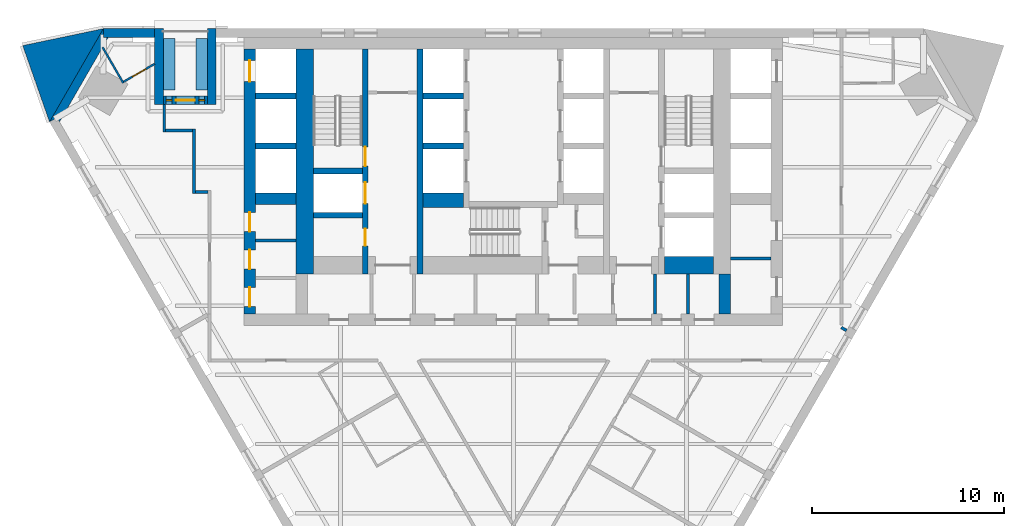
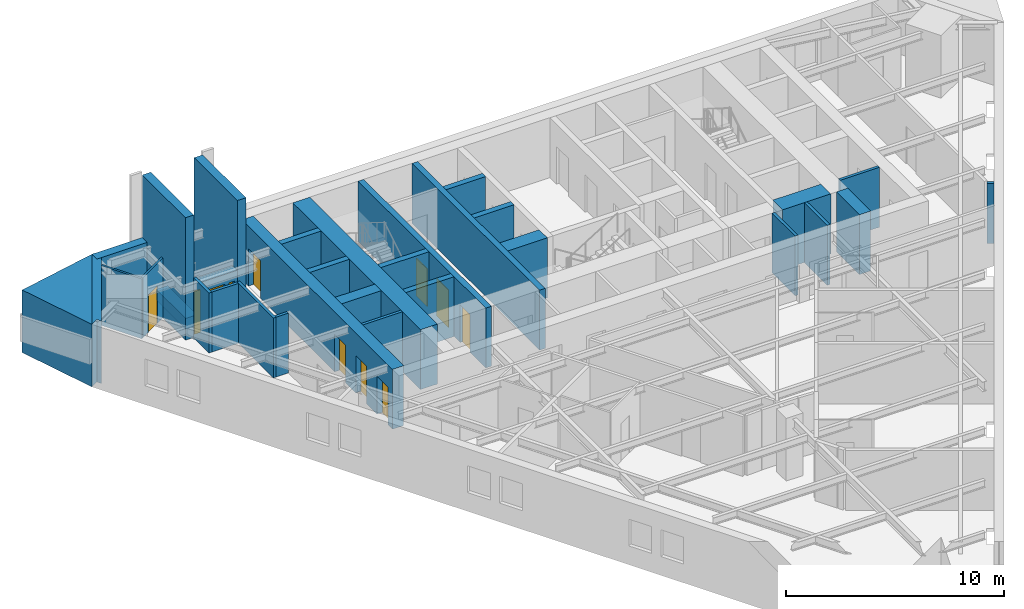
# One storey, part 5 of 9: 33 walls, 9 doors, 2 windows, 11 openings.
"""IFC4 building model written with IfcOpenShell, lengths in metres."""

from ifc_helpers import new_model, si_unit, direction, frame, frame_2d, origin, place, context, subcontext, project, spatial, polyline, rectangle, outline, extrude, material, layer, layer_set, type_object, element, fill, save


model = new_model("IFC4")

# Units and contexts
model_context = context("Model", 3, precision=1e-05, world=origin(), true_north=direction((0.0, 1.0)))
body_context = subcontext(model_context, "Body", "Model", "MODEL_VIEW")
ifc_project = project(units=[si_unit("LENGTHUNIT", "METRE"), si_unit("AREAUNIT", "SQUARE_METRE"), si_unit("VOLUMEUNIT", "CUBIC_METRE"), si_unit("PLANEANGLEUNIT", "RADIAN"), si_unit("MASSUNIT", "GRAM", prefix="KILO")], contexts=[model_context])

# Site, building, storey
site_placement = place(None, origin())
site = spatial("IfcSite", under=ifc_project, at=site_placement, CompositionType="ELEMENT")
building_placement = place(site_placement, origin())
building = spatial("IfcBuilding", under=site, at=building_placement, Name="Aloe Facet Convention Tower", CompositionType="ELEMENT")
storey_placement = place(building_placement, frame((0.0, 0.0, 92.300048828125)))
storey = spatial("IfcBuildingStorey", under=building, at=storey_placement, Name="L22", CompositionType="ELEMENT", Elevation=92.300048828125)

# Walls
ifc_material_1 = material(Name="Concrete blockwork partition", Category="masonry")
ifc_layer_1 = layer(ifc_material_1, 0.14990234375)
ifc_layer_set_1 = layer_set([ifc_layer_1], Name="CR-W-PART150")
wall_type_1 = type_object("IfcWallType", Name="CR-W-PART150", PredefinedType="PARTITIONING", material=ifc_layer_set_1)
wall_1_placement = place(storey_placement, frame((66.60009765625, 123.97509765625, 0.0), z_axis=(0.0, 0.0, 1.0), x_axis=(1.0, 0.0, 0.0)))
element("IfcWall", 1, at=wall_1_placement, inside=storey, type_object=wall_type_1, Name="Core partition L22-007", PredefinedType="PARTITIONING", context=body_context, shape_type="SweptSolid", body=[
    extrude(rectangle(XDim=2.099853515625, YDim=0.14990234375, at=frame_2d((1.0498046875, 0.0))), origin(), (0.0, 0.0, 1.0), 3.349853515625),
])
for number, where, z_axis, x_axis, name in (
    (2, (87.375, 122.25, 0.0), (0.0, 0.0, 1.0), (0.0, -1.0, 0.0), "Core partition L22-041"),
    (3, (89.074951171875, 122.25, 0.0), (0.0, 0.0, 1.0), (0.0, -1.0, 0.0), "Core partition L22-046"),
):
    element("IfcWall", number, at=place(storey_placement, frame(where, z_axis=z_axis, x_axis=x_axis)), inside=storey, type_object=wall_type_1, Name=name, PredefinedType="PARTITIONING", context=body_context, shape_type="SweptSolid", body=[
        extrude(rectangle(XDim=2.10009765625, YDim=0.14990234375, at=frame_2d((1.050048828125, 0.0))), origin(), (0.0, 0.0, 1.0), 3.349853515625),
    ])
wall_2_placement = place(storey_placement, frame((91.300048828125, 123.048583984375, 0.0), z_axis=(0.0, 0.0, 1.0), x_axis=(1.0, 0.0, 0.0)))
element("IfcWall", 4, at=wall_2_placement, inside=storey, type_object=wall_type_1, Name="Core partition L22-052", PredefinedType="PARTITIONING", context=body_context, shape_type="SweptSolid", body=[
    extrude(rectangle(XDim=2.099853515625, YDim=0.14990234375, at=frame_2d((1.0498046875, 0.0))), origin(), (0.0, 0.0, 1.0), 3.349853515625),
])
ifc_material_2 = material(Name="Concrete C70/85", Category="concrete")
ifc_layer_2 = layer(ifc_material_2, 0.300048828125)
ifc_layer_set_2 = layer_set([ifc_layer_2], Name="CR-W-RC300-C7085")
wall_type_2 = type_object("IfcWallType", Name="CR-W-RC300-C7085", PredefinedType="SOLIDWALL", material=ifc_layer_set_2)
for number, where, z_axis, x_axis, name in (
    (5, (66.60009765625, 131.5, 0.0), (0.0, 0.0, 1.0), (1.0, 0.0, 0.0), "Core wall L22-004"),
    (6, (66.60009765625, 128.89990234375, 0.0), (0.0, 0.0, 1.0), (1.0, 0.0, 0.0), "Core wall L22-005"),
):
    element("IfcWall", number, at=place(storey_placement, frame(where, z_axis=z_axis, x_axis=x_axis)), inside=storey, type_object=wall_type_2, Name=name, PredefinedType="SOLIDWALL", context=body_context, shape_type="SweptSolid", body=[
        extrude(rectangle(XDim=2.099853515625, YDim=0.300048828125, at=frame_2d((1.0498046875, 0.0))), origin(), (0.0, 0.0, 1.0), 3.349853515625),
    ])
for number, where, z_axis, x_axis, name in (
    (7, (69.60009765625, 127.60009765625, 0.0), (0.0, 0.0, 1.0), (1.0, 0.0, 0.0), "Core wall L22-011"),
    (8, (69.60009765625, 125.300048828125, 0.0), (0.0, 0.0, 1.0), (1.0, 0.0, 0.0), "Core wall L22-012"),
):
    element("IfcWall", number, at=place(storey_placement, frame(where, z_axis=z_axis, x_axis=x_axis)), inside=storey, type_object=wall_type_2, Name=name, PredefinedType="SOLIDWALL", context=body_context, shape_type="SweptSolid", body=[
        extrude(rectangle(XDim=2.5498046875, YDim=0.300048828125, at=frame_2d((1.27490234375, 0.0))), origin(), (0.0, 0.0, 1.0), 3.349853515625),
    ])

# Wall, openings, doors
wall_3_placement = place(storey_placement, frame((72.300048828125, 133.949951171875, 0.0), z_axis=(0.0, 0.0, 1.0), x_axis=(0.0, -1.0, 0.0)))
wall_3 = element("IfcWall", 9, at=wall_3_placement, inside=storey, type_object=wall_type_2, Name="Core wall L22-014", PredefinedType="SOLIDWALL", context=body_context, shape_type="SweptSolid", body=[
    extrude(rectangle(XDim=11.699951171875, YDim=0.300048828125, at=frame_2d((5.85009765625, 0.0))), origin(), (0.0, 0.0, 1.0), 3.349853515625),
])
opening_1_placement = place(wall_3_placement, frame((6.949951171875, 0.0, 0.0)))
opening_1 = element("IfcOpeningElement", 10, at=opening_1_placement, cuts=wall_3, Name="Opening LD-FF1-L22", PredefinedType="OPENING", context=body_context, shape_type="SweptSolid", body=[
    extrude(rectangle(XDim=1.10009765625, YDim=2.10009765625, at=frame_2d((0.550048828125, 1.050048828125))), frame((0.0, 0.16015625, 0.0), z_axis=(0.0, -1.0, 0.0), x_axis=(1.0, 0.0, 0.0)), (0.0, 0.0, 1.0), 0.320068359375),
])
opening_2_placement = place(wall_3_placement, frame((9.35009765625, 0.0, 0.0)))
opening_2 = element("IfcOpeningElement", 11, at=opening_2_placement, cuts=wall_3, Name="Opening L22-CD22", PredefinedType="OPENING", context=body_context, shape_type="SweptSolid", body=[
    extrude(rectangle(XDim=0.89990234375, YDim=2.10009765625, at=frame_2d((0.449951171875, 1.050048828125))), frame((0.0, 0.16015625, 0.0), z_axis=(0.0, -1.0, 0.0), x_axis=(1.0, 0.0, 0.0)), (0.0, 0.0, 1.0), 0.320068359375),
])
opening_3_placement = place(wall_3_placement, frame((5.10009765625, 0.0, 0.0)))
opening_3 = element("IfcOpeningElement", 12, at=opening_3_placement, cuts=wall_3, Name="Opening L22-CD29", PredefinedType="OPENING", context=body_context, shape_type="SweptSolid", body=[
    extrude(rectangle(XDim=1.0, YDim=2.10009765625, at=frame_2d((0.5, 1.050048828125))), frame((0.0, 0.16015625, 0.0), z_axis=(0.0, -1.0, 0.0), x_axis=(1.0, 0.0, 0.0)), (0.0, 0.0, 1.0), 0.320068359375),
])
ifc_material_3 = material(Name="Steel fire-resisting door set FD60", Category="steel")
door_type_1 = type_object("IfcDoorType", Name="CR-D-ROOM-900-FD60-SLEFT", OperationType="SINGLE_SWING_LEFT", PredefinedType="DOOR", material=ifc_material_3)
door_1_placement = place(opening_2_placement, origin())
door_1 = element("IfcDoor", 13, at=door_1_placement, inside=storey, type_object=door_type_1, Name="Core door L22-CD22", OperationType="SINGLE_SWING_LEFT", OverallHeight=2.10009765625, OverallWidth=0.89990234375, PredefinedType="DOOR", context=body_context, shape_type="SweptSolid", body=[
    extrude(rectangle(XDim=0.89990234375, YDim=2.10009765625, at=frame_2d((0.449951171875, 1.050048828125))), frame((0.0, 0.02490234375, 0.0), z_axis=(0.0, -1.0, 0.0), x_axis=(1.0, 0.0, 0.0)), (0.0, 0.0, 1.0), 0.050048828125),
])
fill(opening_2, door_1)
ifc_material_4 = material(Name="Steel fire-resisting door set FD120", Category="steel")
door_type_2 = type_object("IfcDoorType", Name="CR-D-STAIR-1000-FD120-SRIGHT", OperationType="SINGLE_SWING_RIGHT", PredefinedType="DOOR", material=ifc_material_4)
door_2_placement = place(opening_3_placement, origin())
door_2 = element("IfcDoor", 14, at=door_2_placement, inside=storey, type_object=door_type_2, Name="Core door L22-CD29", OperationType="SINGLE_SWING_RIGHT", OverallHeight=2.10009765625, OverallWidth=1.0, PredefinedType="DOOR", context=body_context, shape_type="SweptSolid", body=[
    extrude(rectangle(XDim=1.0, YDim=2.10009765625, at=frame_2d((0.5, 1.050048828125))), frame((0.0, 0.02490234375, 0.0), z_axis=(0.0, -1.0, 0.0), x_axis=(1.0, 0.0, 0.0)), (0.0, 0.0, 1.0), 0.050048828125),
])
fill(opening_3, door_2)
ifc_material_5 = material(Name="Stainless steel sliding landing door", Category="steel")
door_type_3 = type_object("IfcDoorType", Name="CR-LD-1100-FD120-_LEFT", OperationType="SLIDING_TO_LEFT", PredefinedType="DOOR", material=ifc_material_5)
door_3_placement = place(opening_1_placement, origin())
door_3 = element("IfcDoor", 15, at=door_3_placement, inside=storey, type_object=door_type_3, Name="Landing door FF1 L22", OperationType="SLIDING_TO_LEFT", OverallHeight=2.10009765625, OverallWidth=1.10009765625, PredefinedType="DOOR", context=body_context, shape_type="SweptSolid", body=[
    extrude(rectangle(XDim=1.10009765625, YDim=2.10009765625, at=frame_2d((0.550048828125, 1.050048828125))), frame((0.0, 0.02490234375, 0.0), z_axis=(0.0, -1.0, 0.0), x_axis=(1.0, 0.0, 0.0)), (0.0, 0.0, 1.0), 0.050048828125),
])
fill(opening_1, door_3)

# Walls
wall_4_placement = place(storey_placement, frame((75.14990234375, 133.949951171875, 0.0), z_axis=(0.0, 0.0, 1.0), x_axis=(0.0, -1.0, 0.0)))
element("IfcWall", 16, at=wall_4_placement, inside=storey, type_object=wall_type_2, Name="Core wall L22-019", PredefinedType="SOLIDWALL", context=body_context, shape_type="SweptSolid", body=[
    extrude(rectangle(XDim=11.699951171875, YDim=0.300048828125, at=frame_2d((5.85009765625, 0.0))), origin(), (0.0, 0.0, 1.0), 3.349853515625),
])
for number, where, z_axis, x_axis, name in (
    (17, (75.300048828125, 131.5, 0.0), (0.0, 0.0, 1.0), (1.0, 0.0, 0.0), "Core wall L22-020"),
    (18, (75.300048828125, 128.89990234375, 0.0), (0.0, 0.0, 1.0), (1.0, 0.0, 0.0), "Core wall L22-021"),
):
    element("IfcWall", number, at=place(storey_placement, frame(where, z_axis=z_axis, x_axis=x_axis)), inside=storey, type_object=wall_type_2, Name=name, PredefinedType="SOLIDWALL", context=body_context, shape_type="SweptSolid", body=[
        extrude(rectangle(XDim=2.099853515625, YDim=0.300048828125, at=frame_2d((1.0498046875, 0.0))), origin(), (0.0, 0.0, 1.0), 3.349853515625),
    ])

# Wall, openings, doors
ifc_material_6 = material(Name="Concrete C70/85", Category="concrete")
ifc_layer_3 = layer(ifc_material_6, 0.60009765625)
ifc_layer_set_3 = layer_set([ifc_layer_3], Name="CR-W-RC600-C7085")
wall_type_3 = type_object("IfcWallType", Name="CR-W-RC600-C7085", PredefinedType="SOLIDWALL", material=ifc_layer_set_3)
wall_5_placement = place(storey_placement, frame((66.300048828125, 133.949951171875, 0.0), z_axis=(0.0, 0.0, 1.0), x_axis=(0.0, -1.0, 0.0)))
wall_5 = element("IfcWall", 19, at=wall_5_placement, inside=storey, type_object=wall_type_3, Name="Core wall L22-002", PredefinedType="SOLIDWALL", context=body_context, shape_type="SweptSolid", body=[
    extrude(rectangle(XDim=13.800048828125, YDim=0.60009765625, at=frame_2d((6.89990234375, 0.0))), origin(), (0.0, 0.0, 1.0), 3.349853515625),
])
opening_4_placement = place(wall_5_placement, frame((0.60009765625, 0.0, 0.0)))
opening_4 = element("IfcOpeningElement", 20, at=opening_4_placement, cuts=wall_5, Name="Opening LD-A7-L22", PredefinedType="OPENING", context=body_context, shape_type="SweptSolid", body=[
    extrude(rectangle(XDim=1.10009765625, YDim=2.10009765625, at=frame_2d((0.550048828125, 1.050048828125))), frame((0.0, 0.31005859375, 0.0), z_axis=(0.0, -1.0, 0.0), x_axis=(1.0, 0.0, 0.0)), (0.0, 0.0, 1.0), 0.6201171875),
])
opening_5_placement = place(wall_5_placement, frame((12.39990234375, 0.0, 0.0)))
opening_5 = element("IfcOpeningElement", 21, at=opening_5_placement, cuts=wall_5, Name="Opening L22-CD33", PredefinedType="OPENING", context=body_context, shape_type="SweptSolid", body=[
    extrude(rectangle(XDim=1.0, YDim=2.10009765625, at=frame_2d((0.5, 1.050048828125))), frame((0.0, 0.31005859375, 0.0), z_axis=(0.0, -1.0, 0.0), x_axis=(1.0, 0.0, 0.0)), (0.0, 0.0, 1.0), 0.6201171875),
])
opening_6_placement = place(wall_5_placement, frame((8.5, 0.0, 0.0)))
opening_6 = element("IfcOpeningElement", 22, at=opening_6_placement, cuts=wall_5, Name="Opening L22-CD34", PredefinedType="OPENING", context=body_context, shape_type="SweptSolid", body=[
    extrude(rectangle(XDim=1.0, YDim=2.10009765625, at=frame_2d((0.5, 1.050048828125))), frame((0.0, 0.31005859375, 0.0), z_axis=(0.0, -1.0, 0.0), x_axis=(1.0, 0.0, 0.0)), (0.0, 0.0, 1.0), 0.6201171875),
])
opening_7_placement = place(wall_5_placement, frame((10.449951171875, 0.0, 0.0)))
opening_7 = element("IfcOpeningElement", 23, at=opening_7_placement, cuts=wall_5, Name="Opening L22-CD35", PredefinedType="OPENING", context=body_context, shape_type="SweptSolid", body=[
    extrude(rectangle(XDim=1.0, YDim=2.10009765625, at=frame_2d((0.5, 1.050048828125))), frame((0.0, 0.31005859375, 0.0), z_axis=(0.0, -1.0, 0.0), x_axis=(1.0, 0.0, 0.0)), (0.0, 0.0, 1.0), 0.6201171875),
])
ifc_material_7 = material(Name="Steel fire-resisting door set FD60", Category="steel")
door_type_4 = type_object("IfcDoorType", Name="CR-D-ROOM-1000-FD60-SLEFT", OperationType="SINGLE_SWING_LEFT", PredefinedType="DOOR", material=ifc_material_7)
door_4_placement = place(opening_5_placement, origin())
door_4 = element("IfcDoor", 24, at=door_4_placement, inside=storey, type_object=door_type_4, Name="Core door L22-CD33", OperationType="SINGLE_SWING_LEFT", OverallHeight=2.10009765625, OverallWidth=1.0, PredefinedType="DOOR", context=body_context, shape_type="SweptSolid", body=[
    extrude(rectangle(XDim=1.0, YDim=2.10009765625, at=frame_2d((0.5, 1.050048828125))), frame((0.0, 0.02490234375, 0.0), z_axis=(0.0, -1.0, 0.0), x_axis=(1.0, 0.0, 0.0)), (0.0, 0.0, 1.0), 0.050048828125),
])
fill(opening_5, door_4)
door_5_placement = place(opening_6_placement, origin())
door_5 = element("IfcDoor", 25, at=door_5_placement, inside=storey, type_object=door_type_4, Name="Core door L22-CD34", OperationType="SINGLE_SWING_LEFT", OverallHeight=2.10009765625, OverallWidth=1.0, PredefinedType="DOOR", context=body_context, shape_type="SweptSolid", body=[
    extrude(rectangle(XDim=1.0, YDim=2.10009765625, at=frame_2d((0.5, 1.050048828125))), frame((0.0, 0.02490234375, 0.0), z_axis=(0.0, -1.0, 0.0), x_axis=(1.0, 0.0, 0.0)), (0.0, 0.0, 1.0), 0.050048828125),
])
fill(opening_6, door_5)
door_6_placement = place(opening_7_placement, origin())
door_6 = element("IfcDoor", 26, at=door_6_placement, inside=storey, type_object=door_type_4, Name="Core door L22-CD35", OperationType="SINGLE_SWING_LEFT", OverallHeight=2.10009765625, OverallWidth=1.0, PredefinedType="DOOR", context=body_context, shape_type="SweptSolid", body=[
    extrude(rectangle(XDim=1.0, YDim=2.10009765625, at=frame_2d((0.5, 1.050048828125))), frame((0.0, 0.02490234375, 0.0), z_axis=(0.0, -1.0, 0.0), x_axis=(1.0, 0.0, 0.0)), (0.0, 0.0, 1.0), 0.050048828125),
])
fill(opening_7, door_6)
ifc_material_8 = material(Name="Stainless steel sliding landing door", Category="steel")
door_type_5 = type_object("IfcDoorType", Name="CR-LD-1100-FD60-_LEFT", OperationType="SLIDING_TO_LEFT", PredefinedType="DOOR", material=ifc_material_8)
door_7_placement = place(opening_4_placement, origin())
door_7 = element("IfcDoor", 27, at=door_7_placement, inside=storey, type_object=door_type_5, Name="Landing door A7 L22", OperationType="SLIDING_TO_LEFT", OverallHeight=2.10009765625, OverallWidth=1.10009765625, PredefinedType="DOOR", context=body_context, shape_type="SweptSolid", body=[
    extrude(rectangle(XDim=1.10009765625, YDim=2.10009765625, at=frame_2d((0.550048828125, 1.050048828125))), frame((0.0, 0.02490234375, 0.0), z_axis=(0.0, -1.0, 0.0), x_axis=(1.0, 0.0, 0.0)), (0.0, 0.0, 1.0), 0.050048828125),
])
fill(opening_4, door_7)

# Walls
wall_6_placement = place(storey_placement, frame((66.60009765625, 126.14990234375, 0.0), z_axis=(0.0, 0.0, 1.0), x_axis=(1.0, 0.0, 0.0)))
element("IfcWall", 28, at=wall_6_placement, inside=storey, type_object=wall_type_3, Name="Core wall L22-006", PredefinedType="SOLIDWALL", context=body_context, shape_type="SweptSolid", body=[
    extrude(rectangle(XDim=2.099853515625, YDim=0.60009765625, at=frame_2d((1.0498046875, 0.0))), origin(), (0.0, 0.0, 1.0), 3.349853515625),
])
wall_7_placement = place(storey_placement, frame((91.0, 122.25, 0.0), z_axis=(0.0, 0.0, 1.0), x_axis=(0.0, -1.0, 0.0)))
element("IfcWall", 29, at=wall_7_placement, inside=storey, type_object=wall_type_3, Name="Core wall L22-048", PredefinedType="SOLIDWALL", context=body_context, shape_type="SweptSolid", body=[
    extrude(rectangle(XDim=2.10009765625, YDim=0.60009765625, at=frame_2d((1.050048828125, 0.0))), origin(), (0.0, 0.0, 1.0), 3.349853515625),
])
ifc_material_9 = material(Name="Concrete C70/85", Category="concrete")
ifc_layer_4 = layer(ifc_material_9, 0.75)
ifc_layer_set_4 = layer_set([ifc_layer_4], Name="CR-W-RC750-C7085")
wall_type_4 = type_object("IfcWallType", Name="CR-W-RC750-C7085", PredefinedType="SOLIDWALL", material=ifc_layer_set_4)
wall_8_placement = place(storey_placement, frame((75.300048828125, 126.074951171875, 0.0), z_axis=(0.0, 0.0, 1.0), x_axis=(1.0, 0.0, 0.0)))
element("IfcWall", 30, at=wall_8_placement, inside=storey, type_object=wall_type_4, Name="Core wall L22-022", PredefinedType="SOLIDWALL", context=body_context, shape_type="SweptSolid", body=[
    extrude(rectangle(XDim=2.099853515625, YDim=0.75, at=frame_2d((1.0498046875, 0.0))), origin(), (0.0, 0.0, 1.0), 3.349853515625),
])
ifc_material_10 = material(Name="Concrete C70/85", Category="concrete")
ifc_layer_5 = layer(ifc_material_10, 0.89990234375)
ifc_layer_set_5 = layer_set([ifc_layer_5], Name="CR-W-RC900-C7085")
wall_type_5 = type_object("IfcWallType", Name="CR-W-RC900-C7085", PredefinedType="SOLIDWALL", material=ifc_layer_set_5)
wall_9_placement = place(storey_placement, frame((69.14990234375, 133.949951171875, 0.0), z_axis=(0.0, 0.0, 1.0), x_axis=(0.0, -1.0, 0.0)))
element("IfcWall", 31, at=wall_9_placement, inside=storey, type_object=wall_type_5, Name="Core wall L22-009", PredefinedType="SOLIDWALL", context=body_context, shape_type="SweptSolid", body=[
    extrude(rectangle(XDim=11.699951171875, YDim=0.89990234375, at=frame_2d((5.85009765625, 0.0))), origin(), (0.0, 0.0, 1.0), 3.349853515625),
])
wall_10_placement = place(storey_placement, frame((87.85009765625, 122.699951171875, 0.0), z_axis=(0.0, 0.0, 1.0), x_axis=(1.0, 0.0, 0.0)))
element("IfcWall", 32, at=wall_10_placement, inside=storey, type_object=wall_type_5, Name="Core wall L22-045", PredefinedType="SOLIDWALL", context=body_context, shape_type="SweptSolid", body=[
    extrude(rectangle(XDim=2.5498046875, YDim=0.89990234375, at=frame_2d((1.27490234375, 0.0))), origin(), (0.0, 0.0, 1.0), 3.349853515625),
])
ifc_material_11 = material(Name="Precast concrete C40/50", Category="concrete")
ifc_layer_6 = layer(ifc_material_11, 0.60009765625)
ifc_layer_set_6 = layer_set([ifc_layer_6], Name="EV-PLANTER")
wall_type_6 = type_object("IfcWallType", Name="EV-PLANTER", PredefinedType="STANDARD", material=ifc_layer_set_6)
for number, where, z_axis, x_axis, name in (
    (33, (63.792724609375, 134.5, 0.0), (0.0, 0.0, 1.0), (0.0, -1.0, 0.0), "PLANTER T04-1"),
    (34, (62.0927734375, 134.5, 0.0), (0.0, 0.0, 1.0), (0.0, -1.0, 0.0), "PLANTER T04-2"),
):
    element("IfcWall", number, at=place(storey_placement, frame(where, z_axis=z_axis, x_axis=x_axis)), inside=storey, type_object=wall_type_6, Name=name, PredefinedType="STANDARD", context=body_context, shape_type="SweptSolid", body=[
        extrude(rectangle(XDim=2.699951171875, YDim=0.60009765625, at=frame_2d((1.35009765625, 0.0))), origin(), (0.0, 0.0, 1.0), 0.599853515625),
    ])
ifc_material_12 = material(Name="Precast concrete C40/50", Category="concrete")
ifc_layer_7 = layer(ifc_material_12, 0.449951171875)
ifc_layer_set_7 = layer_set([ifc_layer_7], Name="EV-WALL-PIER")
wall_type_7 = type_object("IfcWallType", Name="EV-WALL-PIER", PredefinedType="SOLIDWALL", material=ifc_layer_set_7)
wall_11_placement = place(storey_placement, frame((0.0, 0.0, -0.150146484375)))
element("IfcWall", 35, at=wall_11_placement, inside=storey, type_object=wall_type_7, Name="EP-L22-A", PredefinedType="SOLIDWALL", context=body_context, shape_type="SweptSolid", body=[
    extrude(outline(polyline([(58.678466796875, 135.0), (58.678466796875, 134.550048828125), (58.938232421875, 134.550048828125), (56.398193359375, 130.150146484375), (56.26806640625, 130.375244140625), (55.87841796875, 130.150146484375), (58.678466796875, 135.0)])), origin(), (0.0, 0.0, 1.0), 3.5),
])
ifc_material_13 = material(Name="Precast concrete C40/50", Category="concrete")
ifc_layer_8 = layer(ifc_material_13, 3.947998046875)
ifc_layer_set_8 = layer_set([ifc_layer_8], Name="EV-WALL-SPINE")
wall_type_8 = type_object("IfcWallType", Name="EV-WALL-SPINE", PredefinedType="SOLIDWALL", material=ifc_layer_set_8)
wall_12_placement = place(storey_placement, frame((0.0, 0.0, -0.150146484375)))
element("IfcWall", 36, at=wall_12_placement, inside=storey, type_object=wall_type_8, Name="SP-NW-L22", PredefinedType="SOLIDWALL", context=body_context, shape_type="SweptSolid", body=[
    extrude(outline(polyline([(58.678466796875, 135.0), (54.484375, 134.119873046875), (55.87841796875, 130.150146484375), (58.678466796875, 135.0)])), origin(), (0.0, 0.0, 1.0), 3.5),
])
ifc_material_14 = material(Name="Precast concrete C40/50", Category="concrete")
ifc_layer_9 = layer(ifc_material_14, 0.449951171875)
ifc_layer_set_9 = layer_set([ifc_layer_9], Name="EV-WALL-STONE")
wall_type_9 = type_object("IfcWallType", Name="EV-WALL-STONE", PredefinedType="SOLIDWALL", material=ifc_layer_set_9)
wall_13_placement = place(storey_placement, frame((61.3427734375, 134.77490234375, -0.150146484375), z_axis=(0.0, 0.0, 1.0), x_axis=(-1.0, 0.0, 0.0)))
element("IfcWall", 37, at=wall_13_placement, inside=storey, type_object=wall_type_9, Name="EW-L22-N02", PredefinedType="SOLIDWALL", context=body_context, shape_type="SweptSolid", body=[
    extrude(outline(polyline([(2.664306640625, 3.5), (2.664306640625, 0.0), (0.0, 0.0), (0.0, 3.5), (2.664306640625, 3.5)])), frame((0.0, 0.22509765625, 0.0), z_axis=(0.0, -1.0, 0.0), x_axis=(1.0, 0.0, 0.0)), (0.0, 0.0, 1.0), 0.449951171875),
])
for number, where, z_axis, x_axis, name in (
    (38, (64.31787109375, 135.0, 0.0), (0.0, 0.0, 1.0), (0.0, -1.0, 0.0), "TW-T04-1"),
    (39, (61.56787109375, 135.0, 0.0), (0.0, 0.0, 1.0), (0.0, -1.0, 0.0), "TW-T04-2"),
):
    element("IfcWall", number, at=place(storey_placement, frame(where, z_axis=z_axis, x_axis=x_axis)), inside=storey, type_object=wall_type_9, Name=name, PredefinedType="SOLIDWALL", context=body_context, shape_type="SweptSolid", body=[
        extrude(rectangle(XDim=3.949951171875, YDim=0.449951171875, at=frame_2d((1.97509765625, 0.0))), origin(), (0.0, 0.0, 1.0), 6.849853515625),
    ])

# Wall, openings, door, windows
wall_14_placement = place(storey_placement, frame((64.0927734375, 131.27490234375, -0.150146484375), z_axis=(0.0, 0.0, 1.0), x_axis=(-1.0, 0.0, 0.0)))
wall_14 = element("IfcWall", 40, at=wall_14_placement, inside=storey, type_object=wall_type_9, Name="TB-T04-L22", PredefinedType="SOLIDWALL", context=body_context, shape_type="SweptSolid", body=[
    extrude(rectangle(XDim=2.300048828125, YDim=0.449951171875, at=frame_2d((1.14990234375, 0.0))), origin(), (0.0, 0.0, 1.0), 3.097412109375),
])
opening_8_placement = place(wall_14_placement, frame((0.64990234375, 0.0, 0.14990234375)))
opening_8 = element("IfcOpeningElement", 41, at=opening_8_placement, cuts=wall_14, Name="Opening D-T04", PredefinedType="OPENING", context=body_context, shape_type="SweptSolid", body=[
    extrude(rectangle(XDim=1.0, YDim=2.39990234375, at=frame_2d((0.5, 1.199951171875))), frame((0.0, 0.23486328125, 0.0), z_axis=(0.0, -1.0, 0.0), x_axis=(1.0, 0.0, 0.0)), (0.0, 0.0, 1.0), 0.469970703125),
])
opening_9_placement = place(wall_14_placement, frame((0.14990234375, 0.0, 0.14990234375)))
opening_9 = element("IfcOpeningElement", 42, at=opening_9_placement, cuts=wall_14, Name="Opening G-T04-1", PredefinedType="OPENING", context=body_context, shape_type="SweptSolid", body=[
    extrude(rectangle(XDim=0.300048828125, YDim=2.39990234375, at=frame_2d((0.14990234375, 1.199951171875))), frame((0.0, 0.23486328125, 0.0), z_axis=(0.0, -1.0, 0.0), x_axis=(1.0, 0.0, 0.0)), (0.0, 0.0, 1.0), 0.469970703125),
])
opening_10_placement = place(wall_14_placement, frame((1.85009765625, 0.0, 0.14990234375)))
opening_10 = element("IfcOpeningElement", 43, at=opening_10_placement, cuts=wall_14, Name="Opening G-T04-2", PredefinedType="OPENING", context=body_context, shape_type="SweptSolid", body=[
    extrude(rectangle(XDim=0.300048828125, YDim=2.39990234375, at=frame_2d((0.14990234375, 1.199951171875))), frame((0.0, 0.23486328125, 0.0), z_axis=(0.0, -1.0, 0.0), x_axis=(1.0, 0.0, 0.0)), (0.0, 0.0, 1.0), 0.469970703125),
])
ifc_material_15 = material(Name="Aluminium frame, clear double glazing", Category="aluminium")
door_type_6 = type_object("IfcDoorType", Name="EV-DOOR-TERR", OperationType="SINGLE_SWING_LEFT", PredefinedType="DOOR", material=ifc_material_15)
door_8_placement = place(opening_8_placement, origin())
door_8 = element("IfcDoor", 44, at=door_8_placement, inside=storey, type_object=door_type_6, Name="D-T04", OperationType="SINGLE_SWING_LEFT", OverallHeight=2.39990234375, OverallWidth=1.0, PredefinedType="DOOR", context=body_context, shape_type="SweptSolid", body=[
    extrude(rectangle(XDim=1.0, YDim=2.39990234375, at=frame_2d((0.5, 1.199951171875))), frame((0.0, 0.02490234375, 0.0), z_axis=(0.0, -1.0, 0.0), x_axis=(1.0, 0.0, 0.0)), (0.0, 0.0, 1.0), 0.050048828125),
])
fill(opening_8, door_8)
ifc_material_16 = material(Name="Aluminium frame, clear double glazing", Category="aluminium")
window_type = type_object("IfcWindowType", Name="EV-WIN-SL30", PartitioningType="SINGLE_PANEL", PredefinedType="WINDOW", material=ifc_material_16)
window_1_placement = place(opening_9_placement, origin())
window_1 = element("IfcWindow", 45, at=window_1_placement, inside=storey, type_object=window_type, Name="G-T04-1", OverallHeight=2.39990234375, OverallWidth=0.300048828125, PartitioningType="SINGLE_PANEL", PredefinedType="WINDOW", context=body_context, shape_type="SweptSolid", body=[
    extrude(rectangle(XDim=0.300048828125, YDim=2.39990234375, at=frame_2d((0.14990234375, 1.199951171875))), frame((0.0, 0.030029296875, 0.0), z_axis=(0.0, -1.0, 0.0), x_axis=(1.0, 0.0, 0.0)), (0.0, 0.0, 1.0), 0.06005859375),
])
fill(opening_9, window_1)
window_2_placement = place(opening_10_placement, origin())
window_2 = element("IfcWindow", 46, at=window_2_placement, inside=storey, type_object=window_type, Name="G-T04-2", OverallHeight=2.39990234375, OverallWidth=0.300048828125, PartitioningType="SINGLE_PANEL", PredefinedType="WINDOW", context=body_context, shape_type="SweptSolid", body=[
    extrude(rectangle(XDim=0.300048828125, YDim=2.39990234375, at=frame_2d((0.14990234375, 1.199951171875))), frame((0.0, 0.030029296875, 0.0), z_axis=(0.0, -1.0, 0.0), x_axis=(1.0, 0.0, 0.0)), (0.0, 0.0, 1.0), 0.06005859375),
])
fill(opening_10, window_2)

# Walls
ifc_material_17 = material(Name="Gypsum board partition on steel studs", Category="steel")
ifc_layer_10 = layer(ifc_material_17, 0.14990234375)
ifc_layer_set_10 = layer_set([ifc_layer_10], Name="IN-W-CORR")
wall_type_10 = type_object("IfcWallType", Name="IN-W-CORR", PredefinedType="PARTITIONING", material=ifc_layer_set_10)
wall_15_placement = place(storey_placement, frame((97.05712890625, 119.456787109375, 0.0), z_axis=(0.0, 0.0, 1.0), x_axis=(0.866159461733, -0.499767732902, 0.0)))
element("IfcWall", 47, at=wall_15_placement, inside=storey, type_object=wall_type_10, Name="Partition L22-W049", PredefinedType="PARTITIONING", context=body_context, shape_type="SweptSolid", body=[
    extrude(rectangle(XDim=0.311279296875, YDim=0.14990234375, at=frame_2d((0.15576171875, 0.0))), origin(), (0.0, 0.0, 1.0), 3.349853515625),
])
wall_16_placement = place(storey_placement, frame((63.400146484375, 129.77490234375, 0.0), z_axis=(0.0, 0.0, 1.0), x_axis=(7.2880985e-05, -0.999999997344, 0.0)))
element("IfcWall", 48, at=wall_16_placement, inside=storey, type_object=wall_type_10, Name="Partition L22-W051", PredefinedType="PARTITIONING", context=body_context, shape_type="SweptSolid", body=[
    extrude(rectangle(XDim=3.349853515625, YDim=0.14990234375, at=frame_2d((1.6748046875, 0.0))), origin(), (0.0, 0.0, 1.0), 3.349853515625),
])
wall_17_placement = place(storey_placement, frame((63.4755859375, 126.5, 0.0), z_axis=(0.0, 0.0, 1.0), x_axis=(1.0, 0.0, 0.0)))
element("IfcWall", 49, at=wall_17_placement, inside=storey, type_object=wall_type_10, Name="Partition L22-W052", PredefinedType="PARTITIONING", context=body_context, shape_type="SweptSolid", body=[
    extrude(rectangle(XDim=0.6494140625, YDim=0.14990234375, at=frame_2d((0.32470703125, 0.0))), origin(), (0.0, 0.0, 1.0), 3.349853515625),
])
wall_18_placement = place(storey_placement, frame((61.8427734375, 129.625, 0.0), z_axis=(0.0, 0.0, 1.0), x_axis=(0.0, 1.0, 0.0)))
element("IfcWall", 50, at=wall_18_placement, inside=storey, type_object=wall_type_10, Name="Partition L22-W053", PredefinedType="PARTITIONING", context=body_context, shape_type="SweptSolid", body=[
    extrude(rectangle(XDim=1.425048828125, YDim=0.14990234375, at=frame_2d((0.71240234375, 0.0))), origin(), (0.0, 0.0, 1.0), 3.349853515625),
])
wall_19_placement = place(storey_placement, frame((61.917724609375, 129.699951171875, 0.0), z_axis=(0.0, 0.0, 1.0), x_axis=(1.0, 0.0, 0.0)))
element("IfcWall", 51, at=wall_19_placement, inside=storey, type_object=wall_type_10, Name="Partition L22-W054", PredefinedType="PARTITIONING", context=body_context, shape_type="SweptSolid", body=[
    extrude(rectangle(XDim=1.407470703125, YDim=0.14990234375, at=frame_2d((0.70361328125, 0.0))), origin(), (0.0, 0.0, 1.0), 3.349853515625),
])
ifc_material_18 = material(Name="Gypsum board partition on steel studs", Category="steel")
ifc_layer_11 = layer(ifc_material_18, 0.10009765625)
ifc_layer_set_11 = layer_set([ifc_layer_11], Name="IN-W-PART")
wall_type_11 = type_object("IfcWallType", Name="IN-W-PART", PredefinedType="PARTITIONING", material=ifc_layer_set_11)
wall_20_placement = place(storey_placement, frame((58.639404296875, 134.032470703125, 0.0), z_axis=(0.0, 0.0, 1.0), x_axis=(0.500020435542, -0.866013604997, 0.0)))
element("IfcWall", 52, at=wall_20_placement, inside=storey, type_object=wall_type_11, Name="Partition L22-W058", PredefinedType="PARTITIONING", context=body_context, shape_type="SweptSolid", body=[
    extrude(rectangle(XDim=2.1513671875, YDim=0.10009765625, at=frame_2d((1.07568359375, 0.0))), origin(), (0.0, 0.0, 1.0), 3.349853515625),
])

# Wall, opening, door
wall_21_placement = place(storey_placement, frame((59.7333984375, 132.23779296875, 0.0), z_axis=(0.0, 0.0, 1.0), x_axis=(0.866019315389, 0.500010545262, 0.0)))
wall_21 = element("IfcWall", 53, at=wall_21_placement, inside=storey, type_object=wall_type_11, Name="Partition L22-W062", PredefinedType="PARTITIONING", context=body_context, shape_type="SweptSolid", body=[
    extrude(rectangle(XDim=1.8583984375, YDim=0.10009765625, at=frame_2d((0.92919921875, 0.0))), origin(), (0.0, 0.0, 1.0), 3.349853515625),
])
opening_11_placement = place(wall_21_placement, frame((0.529296875, 0.0, 0.0)))
opening_11 = element("IfcOpeningElement", 54, at=opening_11_placement, cuts=wall_21, Name="Opening L22-009", PredefinedType="OPENING", context=body_context, shape_type="SweptSolid", body=[
    extrude(rectangle(XDim=0.800048828125, YDim=2.10009765625, at=frame_2d((0.39990234375, 1.050048828125))), frame((0.0, 0.06005859375, 0.0), z_axis=(0.0, -1.0, 0.0), x_axis=(1.0, 0.0, 0.0)), (0.0, 0.0, 1.0), 0.1201171875),
])
ifc_material_19 = material(Name="Timber flush door", Category="wood")
door_type_7 = type_object("IfcDoorType", Name="IN-D-BATH", OperationType="SINGLE_SWING_LEFT", PredefinedType="DOOR", material=ifc_material_19)
door_9_placement = place(opening_11_placement, origin())
door_9 = element("IfcDoor", 55, at=door_9_placement, inside=storey, type_object=door_type_7, Name="Door L22-009", OperationType="SINGLE_SWING_LEFT", OverallHeight=2.10009765625, OverallWidth=0.800048828125, PredefinedType="DOOR", context=body_context, shape_type="SweptSolid", body=[
    extrude(rectangle(XDim=0.800048828125, YDim=2.10009765625, at=frame_2d((0.39990234375, 1.050048828125))), frame((0.0, 0.02490234375, 0.0), z_axis=(0.0, -1.0, 0.0), x_axis=(1.0, 0.0, 0.0)), (0.0, 0.0, 1.0), 0.050048828125),
])
fill(opening_11, door_9)

save(model, "model.ifc")
